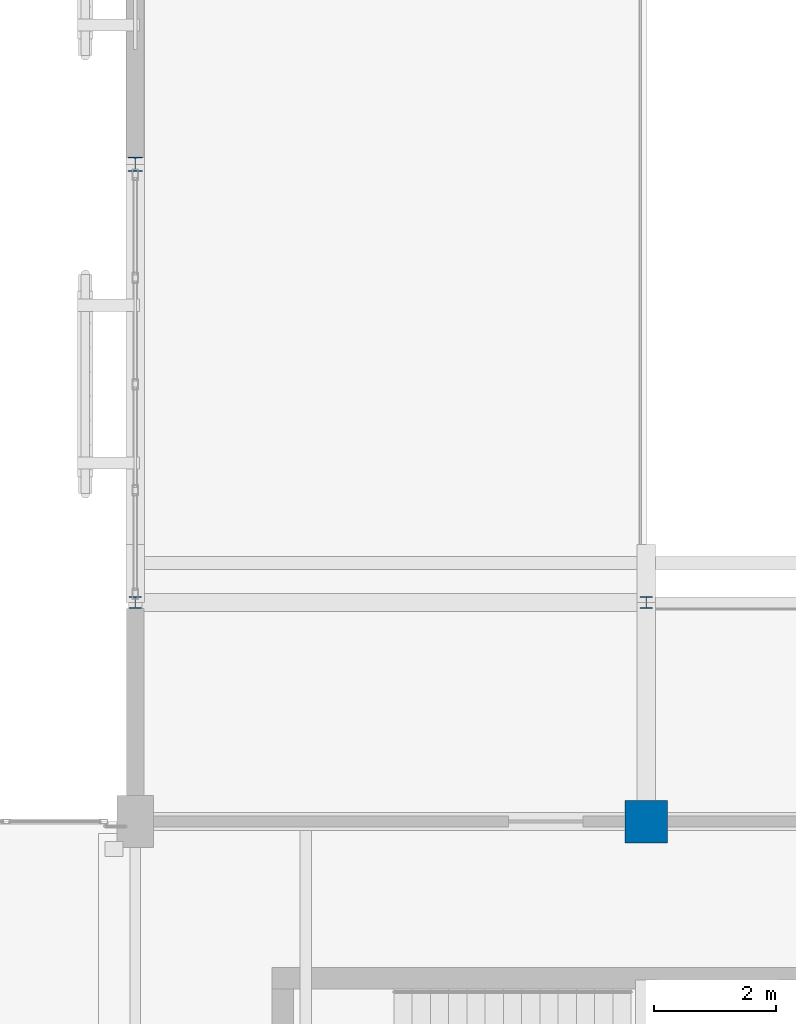
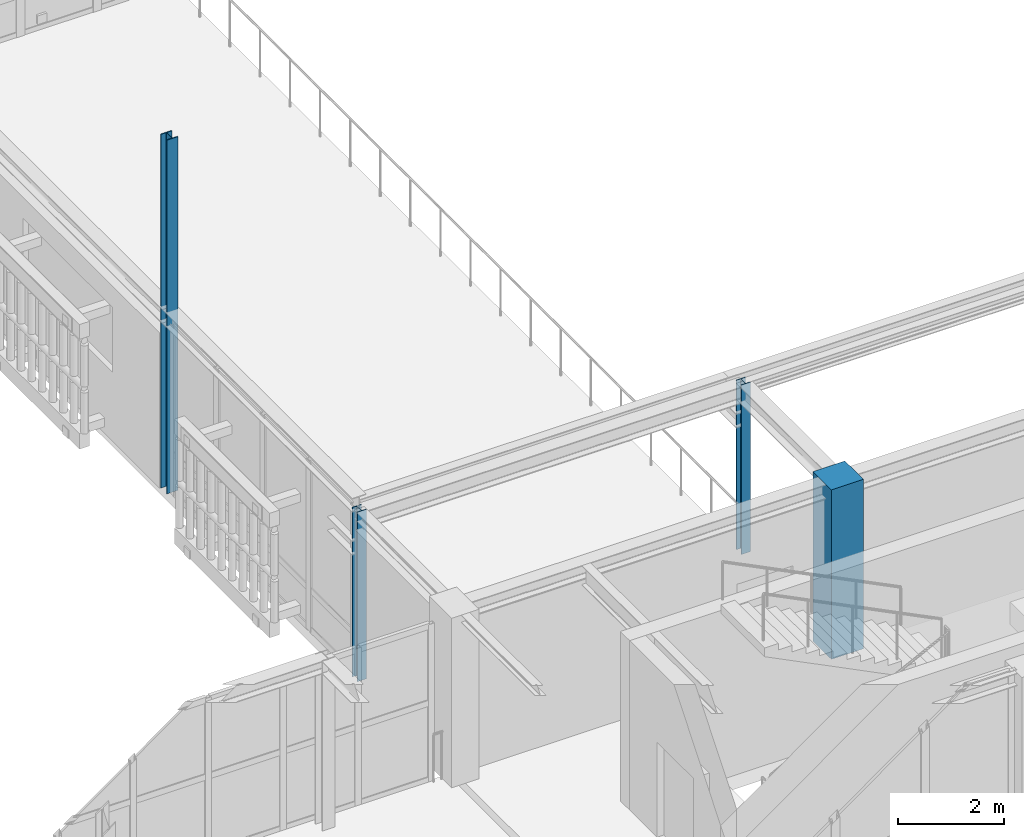
# One storey, part 9 of 170: 4 columns.
"""IFC4 building model written with IfcOpenShell, lengths in metres."""

from ifc_helpers import new_model, si_unit, direction, frame, origin, origin_2d, place, context, subcontext, project, spatial, rectangle, i_section, extrude, material, material_profile, profile_set, type_object, element, save


model = new_model("IFC4")

# Units and contexts
model_context = context("Model", 3, precision=1e-05, world=origin(), true_north=direction((0.0, 1.0)))
body_context = subcontext(model_context, "Body", "Model", "MODEL_VIEW")
ifc_project = project(units=[si_unit("LENGTHUNIT", "METRE"), si_unit("AREAUNIT", "SQUARE_METRE"), si_unit("VOLUMEUNIT", "CUBIC_METRE"), si_unit("PLANEANGLEUNIT", "RADIAN"), si_unit("MASSUNIT", "GRAM", prefix="KILO")], contexts=[model_context])

# Site, building, storey
site_placement = place(None, origin())
site = spatial("IfcSite", under=ifc_project, at=site_placement, CompositionType="ELEMENT")
building_placement = place(site_placement, origin())
building = spatial("IfcBuilding", under=site, at=building_placement, Name="Mazaris Harbour Polytechnic", CompositionType="ELEMENT")
storey_placement = place(building_placement, frame((0.0, 0.0, 5.39990234375)))
storey = spatial("IfcBuildingStorey", under=building, at=storey_placement, Name="L01", CompositionType="ELEMENT", Elevation=5.39990234375)

# Columns
ifc_material_1 = material(Name="Concrete C40/50", Category="concrete")
ifc_material_profile_1 = material_profile(ifc_material_1, rectangle(XDim=0.699951171875, YDim=0.699951171875, at=origin_2d()), Name="RECT700x700")
ifc_profile_set_1 = profile_set([ifc_material_profile_1], Name="Concrete C40/50")
column_type_1 = type_object("IfcColumnType", Name="RC Column 700x700", PredefinedType="COLUMN", material=ifc_profile_set_1)
column_1_placement = place(storey_placement, frame((62.39990234375, 82.800048828125, 0.0), z_axis=(0.0, 0.0, 1.0), x_axis=(1.0, 0.0, 0.0)))
element("IfcColumn", 1, at=column_1_placement, inside=storey, type_object=column_type_1, Name="V1 L01 Column 124", PredefinedType="COLUMN", context=body_context, shape_type="SweptSolid", body=[
    extrude(rectangle(XDim=0.699951171875, YDim=0.699951171875, at=origin_2d()), origin(), (0.0, 0.0, 1.0), 3.920166015625),
])
ifc_material_2 = material(Name="Steel S355", Category="steel")
ifc_material_profile_2 = material_profile(ifc_material_2, i_section(OverallWidth=0.199951171875, OverallDepth=0.199951171875, WebThickness=0.009033203125, FlangeThickness=0.014892578125, FilletRadius=0.01806640625, at=origin_2d()), Name="HEB 200")
ifc_profile_set_2 = profile_set([ifc_material_profile_2], Name="Steel S355")
column_type_2 = type_object("IfcColumnType", Name="Steel Column HEB200", PredefinedType="COLUMN", material=ifc_profile_set_2)
column_2_placement = place(storey_placement, frame((62.39990234375, 86.39990234375, 0.0), z_axis=(0.0, 0.0, 1.0), x_axis=(1.0, 0.0, 0.0)))
element("IfcColumn", 2, at=column_2_placement, inside=storey, type_object=column_type_2, Name="V1 L01 Column 125", PredefinedType="COLUMN", context=body_context, shape_type="SweptSolid", body=[
    extrude(i_section(OverallWidth=0.199951171875, OverallDepth=0.199951171875, WebThickness=0.009033203125, FlangeThickness=0.014892578125, FilletRadius=0.01806640625, at=origin_2d()), origin(), (0.0, 0.0, 1.0), 3.920166015625),
])
ifc_material_3 = material(Name="Steel S355", Category="steel")
ifc_material_profile_3 = material_profile(ifc_material_3, i_section(OverallWidth=0.199951171875, OverallDepth=0.199951171875, WebThickness=0.009033203125, FlangeThickness=0.014892578125, FilletRadius=0.01806640625, at=origin_2d()), Name="HEB 200")
ifc_profile_set_3 = profile_set([ifc_material_profile_3], Name="Steel S355")
column_type_3 = type_object("IfcColumnType", Name="Steel Column HEB200 Exterior", PredefinedType="COLUMN", material=ifc_profile_set_3)
column_3_placement = place(storey_placement, frame((54.0, 86.39990234375, 0.0), z_axis=(0.0, 0.0, 1.0), x_axis=(1.0, 0.0, 0.0)))
element("IfcColumn", 3, at=column_3_placement, inside=storey, type_object=column_type_3, Name="V1 L01 Column 119", PredefinedType="COLUMN", context=body_context, shape_type="SweptSolid", body=[
    extrude(i_section(OverallWidth=0.199951171875, OverallDepth=0.199951171875, WebThickness=0.009033203125, FlangeThickness=0.014892578125, FilletRadius=0.01806640625, at=origin_2d()), origin(), (0.0, 0.0, 1.0), 3.920166015625),
])
ifc_material_4 = material(Name="Steel S355", Category="steel")
ifc_material_profile_4 = material_profile(ifc_material_4, i_section(OverallWidth=0.239990234375, OverallDepth=0.239990234375, WebThickness=0.010009765625, FlangeThickness=0.01708984375, FilletRadius=0.02099609375, at=origin_2d()), Name="HEB 240")
ifc_profile_set_4 = profile_set([ifc_material_profile_4], Name="Steel S355")
column_type_4 = type_object("IfcColumnType", Name="Steel Column HEB240", PredefinedType="COLUMN", material=ifc_profile_set_4)
column_4_placement = place(storey_placement, frame((54.0, 93.60009765625, 0.0), z_axis=(0.0, 0.0, 1.0), x_axis=(1.0, 0.0, 0.0)))
element("IfcColumn", 4, at=column_4_placement, inside=storey, type_object=column_type_4, Name="V1 L01 Column 120", PredefinedType="COLUMN", context=body_context, shape_type="SweptSolid", body=[
    extrude(i_section(OverallWidth=0.239990234375, OverallDepth=0.239990234375, WebThickness=0.010009765625, FlangeThickness=0.01708984375, FilletRadius=0.02099609375, at=origin_2d()), origin(), (0.0, 0.0, 1.0), 8.18017578125),
])

save(model, "model.ifc")
